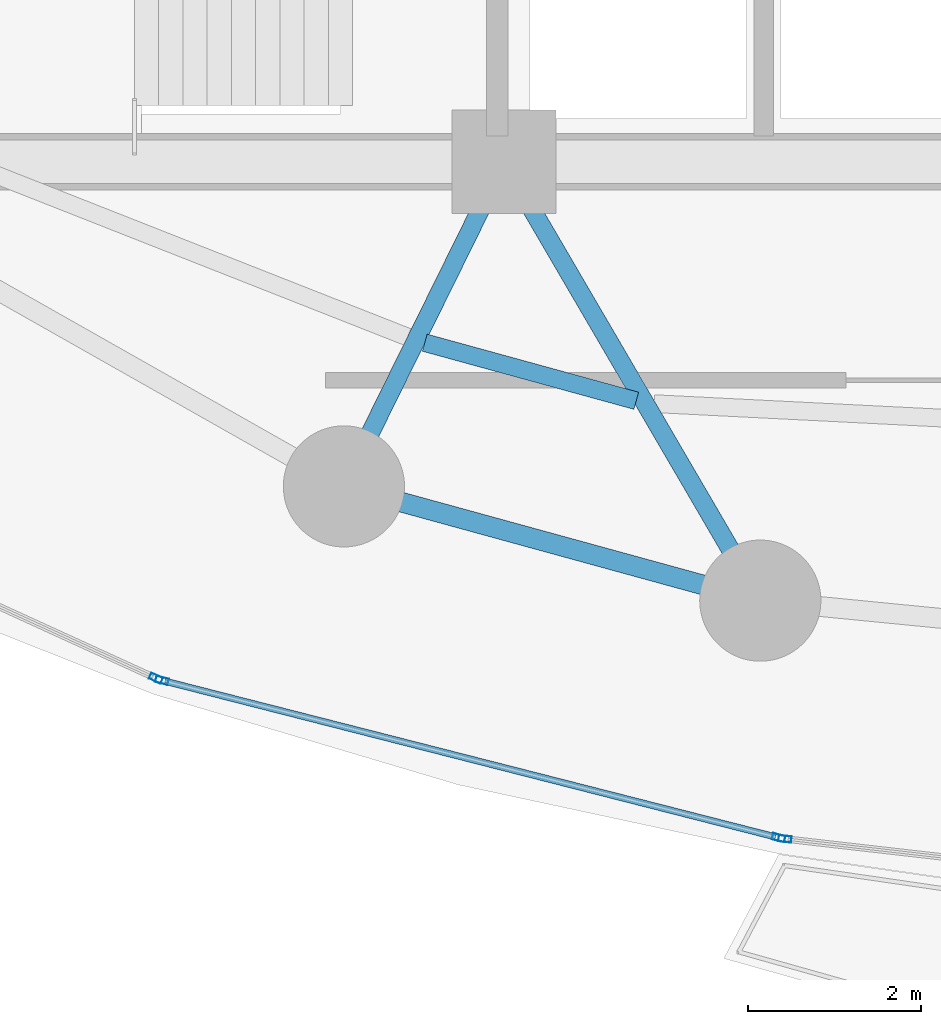
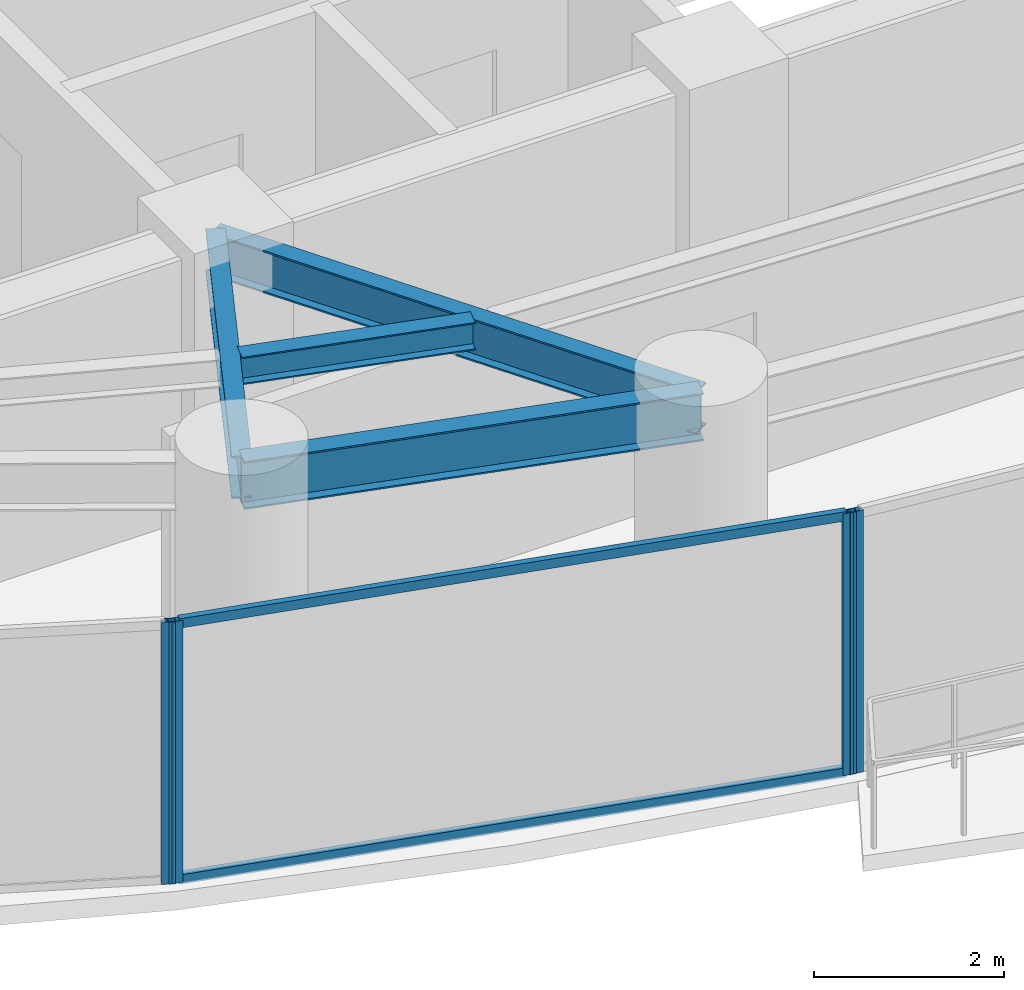
# One storey, part 5 of 31: 6 members, 4 beams, 3 elements without a shape of their own.
"""IFC4 building model written with IfcOpenShell, lengths in metres."""

from ifc_helpers import new_model, si_unit, direction, frame, origin, origin_2d, place, context, subcontext, project, spatial, hollow_rectangle, i_section, extrude, material, layer, layer_set, material_profile, profile_set, type_object, element, aggregate, save


model = new_model("IFC4")

# Units and contexts
model_context = context("Model", 3, precision=1e-05, world=origin(), true_north=direction((0.0, 1.0)))
body_context = subcontext(model_context, "Body", "Model", "MODEL_VIEW")
ifc_project = project(units=[si_unit("LENGTHUNIT", "METRE"), si_unit("AREAUNIT", "SQUARE_METRE"), si_unit("VOLUMEUNIT", "CUBIC_METRE"), si_unit("PLANEANGLEUNIT", "RADIAN"), si_unit("MASSUNIT", "GRAM", prefix="KILO")], contexts=[model_context])

# Site, building, storey
site_placement = place(None, origin())
site = spatial("IfcSite", under=ifc_project, at=site_placement, CompositionType="ELEMENT")
building_placement = place(site_placement, origin())
building = spatial("IfcBuilding", under=site, at=building_placement, Name="Kazevale Care Tower and Concert Hall", CompositionType="ELEMENT")
storey_placement = place(building_placement, frame((0.0, 0.0, 56.39990234375)))
storey = spatial("IfcBuildingStorey", under=building, at=storey_placement, Name="L14", CompositionType="ELEMENT", Elevation=56.39990234375)

# Curtain wall, member
ifc_material_1 = material(Name="Aluminium 6063-T6 and Low-E Glass", Category="aluminium")
ifc_layer = layer(ifc_material_1, 0.179931640625)
ifc_layer_set = layer_set([ifc_layer], Name="Aluminium 6063-T6 and Low-E Glass")
curtain_wall_type = type_object("IfcCurtainWallType", Name="Sheltered Concave Balcony Curtain Wall CW-5", PredefinedType="NOTDEFINED", material=ifc_layer_set)
curtain_wall_1_placement = place(storey_placement, origin())
curtain_wall_1 = element("IfcCurtainWall", 1, at=curtain_wall_1_placement, inside=storey, type_object=curtain_wall_type, Name="cw:L14:f07", PredefinedType="NOTDEFINED")
ifc_material_2 = material(Name="Aluminium 6063-T6", Category="aluminium")
ifc_material_profile_1 = material_profile(ifc_material_2, hollow_rectangle(XDim=0.074951171875, YDim=0.14990234375, WallThickness=0.00390625, at=origin_2d()), Name="ALU75x150x4")
ifc_profile_set_1 = profile_set([ifc_material_profile_1], Name="Aluminium 6063-T6")
member_type_1 = type_object("IfcMemberType", Name="CW-5 Mullion ALU75x150x4", PredefinedType="MULLION", material=ifc_profile_set_1)
member_1_placement = place(storey_placement, frame((33.245361328125, 15.77783203125, 0.0), z_axis=(0.0, 0.0, 1.0), x_axis=(-0.113704773808, -0.993514581883, 0.0)))
member_1 = element("IfcMember", 2, at=member_1_placement, type_object=member_type_1, Name="CW-5 mullion 2", PredefinedType="MULLION", context=body_context, shape_type="SweptSolid", body=[
    extrude(hollow_rectangle(XDim=0.074951171875, YDim=0.14990234375, WallThickness=0.00390625, at=origin_2d()), origin(), (0.0, 0.0, 1.0), 3.360107421875),
])
aggregate(curtain_wall_1, [member_1])

# Curtain wall, members
curtain_wall_2_placement = place(storey_placement, origin())
curtain_wall_2 = element("IfcCurtainWall", 3, at=curtain_wall_2_placement, inside=storey, type_object=curtain_wall_type, Name="cw:L14:f08", PredefinedType="NOTDEFINED")
member_2_placement = place(storey_placement, frame((33.171630859375, 15.791259765625, 0.0), z_axis=(0.0, 0.0, 1.0), x_axis=(-0.247221864936, -0.968958899798, 0.0)))
member_2 = element("IfcMember", 4, at=member_2_placement, type_object=member_type_1, Name="CW-5 mullion 1", PredefinedType="MULLION", context=body_context, shape_type="SweptSolid", body=[
    extrude(hollow_rectangle(XDim=0.074951171875, YDim=0.14990234375, WallThickness=0.00390625, at=origin_2d()), origin(), (0.0, 0.0, 1.0), 3.360107421875),
])
member_3_placement = place(storey_placement, frame((26.04833984375, 17.608642578125, 0.0), z_axis=(0.0, 0.0, 1.0), x_axis=(-0.247221864936, -0.968958899798, 0.0)))
member_3 = element("IfcMember", 5, at=member_3_placement, type_object=member_type_1, Name="CW-5 mullion 2", PredefinedType="MULLION", context=body_context, shape_type="SweptSolid", body=[
    extrude(hollow_rectangle(XDim=0.074951171875, YDim=0.14990234375, WallThickness=0.00390625, at=origin_2d()), origin(), (0.0, 0.0, 1.0), 3.360107421875),
])

# Curtain wall, member
curtain_wall_3_placement = place(storey_placement, origin())
curtain_wall_3 = element("IfcCurtainWall", 6, at=curtain_wall_3_placement, inside=storey, type_object=curtain_wall_type, Name="cw:L14:f09", PredefinedType="NOTDEFINED")
member_4_placement = place(storey_placement, frame((25.977783203125, 17.633544921875, 0.0), z_axis=(0.0, 0.0, 1.0), x_axis=(-0.415659767773, -0.909520179795, 0.0)))
member_4 = element("IfcMember", 7, at=member_4_placement, type_object=member_type_1, Name="CW-5 mullion 1", PredefinedType="MULLION", context=body_context, shape_type="SweptSolid", body=[
    extrude(hollow_rectangle(XDim=0.074951171875, YDim=0.14990234375, WallThickness=0.00390625, at=origin_2d()), origin(), (0.0, 0.0, 1.0), 3.360107421875),
])
aggregate(curtain_wall_3, [member_4])

# Member
ifc_material_profile_2 = material_profile(ifc_material_2, hollow_rectangle(XDim=0.074951171875, YDim=0.1201171875, WallThickness=0.00390625, at=origin_2d()), Name="ALU75x120x4")
ifc_profile_set_2 = profile_set([ifc_material_profile_2], Name="Aluminium 6063-T6")
member_type_2 = type_object("IfcMemberType", Name="CW-5 Transom ALU75x120x4", PredefinedType="USERDEFINED", material=ifc_profile_set_2)
member_5_placement = place(storey_placement, frame((33.13525390625, 15.800537109375, 0.03759765625), z_axis=(-0.968960816419, 0.24721435283, 0.0), x_axis=(-0.24721435283, -0.968960816419, 0.0)))
member_5 = element("IfcMember", 8, at=member_5_placement, type_object=member_type_2, Name="CW-5 transom 1.1", ObjectType="TRANSOM", PredefinedType="USERDEFINED", context=body_context, shape_type="SweptSolid", body=[
    extrude(hollow_rectangle(XDim=0.074951171875, YDim=0.1201171875, WallThickness=0.00390625, at=origin_2d()), origin(), (0.0, 0.0, 1.0), 7.2763671875),
])

member_6_placement = place(storey_placement, frame((33.13525390625, 15.800537109375, 3.322509765625), z_axis=(-0.968960816419, 0.24721435283, 0.0), x_axis=(-0.24721435283, -0.968960816419, 0.0)))
member_6 = element("IfcMember", 9, at=member_6_placement, type_object=member_type_2, Name="CW-5 transom 1.2", ObjectType="TRANSOM", PredefinedType="USERDEFINED", context=body_context, shape_type="SweptSolid", body=[
    extrude(hollow_rectangle(XDim=0.074951171875, YDim=0.1201171875, WallThickness=0.00390625, at=origin_2d()), origin(), (0.0, 0.0, 1.0), 7.2763671875),
])

aggregate(curtain_wall_2, [member_2, member_3, member_5, member_6])

# Beams
ifc_material_3 = material(Name="Steel ASTM A572 Gr 50", Category="steel")
ifc_material_profile_3 = material_profile(ifc_material_3, i_section(OverallWidth=0.2119140625, OverallDepth=0.5439453125, WebThickness=0.01318359375, FlangeThickness=0.021240234375, at=origin_2d()), Name="W530x123")
ifc_profile_set_3 = profile_set([ifc_material_profile_3], Name="Steel ASTM A572 Gr 50")
beam_type_1 = type_object("IfcBeamType", Name="Radial Floor Girder W530x123", PredefinedType="BEAM", material=ifc_profile_set_3)
beam_1_placement = place(storey_placement, frame((30.0, 23.60009765625, 3.088134765625), z_axis=(-0.442443019162, -0.896796618412, 0.0), x_axis=(0.896796618412, -0.442443019162, 0.0)))
element("IfcBeam", 10, at=beam_1_placement, inside=storey, type_object=beam_type_1, Name="beam:L14:rad:11", PredefinedType="BEAM", context=body_context, shape_type="SweptSolid", body=[
    extrude(i_section(OverallWidth=0.2119140625, OverallDepth=0.5439453125, WebThickness=0.01318359375, FlangeThickness=0.021240234375, at=origin_2d()), origin(), (0.0, 0.0, 1.0), 4.181640625),
])
beam_2_placement = place(storey_placement, frame((30.0, 23.60009765625, 3.088134765625), z_axis=(0.50417868077, -0.86359936189, 0.0), x_axis=(0.86359936189, 0.50417868077, 0.0)))
element("IfcBeam", 11, at=beam_2_placement, inside=storey, type_object=beam_type_1, Name="beam:L14:rad:12", PredefinedType="BEAM", context=body_context, shape_type="SweptSolid", body=[
    extrude(i_section(OverallWidth=0.2119140625, OverallDepth=0.5439453125, WebThickness=0.01318359375, FlangeThickness=0.021240234375, at=origin_2d()), origin(), (0.0, 0.0, 1.0), 5.870849609375),
])
ifc_material_profile_4 = material_profile(ifc_material_3, i_section(OverallWidth=0.22900390625, OverallDepth=0.612060546875, WebThickness=0.011962890625, FlangeThickness=0.01953125, at=origin_2d()), Name="W610x125")
ifc_profile_set_4 = profile_set([ifc_material_profile_4], Name="Steel ASTM A572 Gr 50")
beam_type_2 = type_object("IfcBeamType", Name="Ring Spandrel Beam W610x125", PredefinedType="SPANDREL", material=ifc_profile_set_4)
beam_3_placement = place(storey_placement, frame((28.14990234375, 19.85009765625, 3.05419921875), z_axis=(0.964343540473, -0.264653615031, 0.0), x_axis=(0.264653615031, 0.964343540473, 0.0)))
element("IfcBeam", 12, at=beam_3_placement, inside=storey, type_object=beam_type_2, Name="beam:L14:ring:11", PredefinedType="SPANDREL", context=body_context, shape_type="SweptSolid", body=[
    extrude(i_section(OverallWidth=0.22900390625, OverallDepth=0.612060546875, WebThickness=0.011962890625, FlangeThickness=0.01953125, at=origin_2d()), origin(), (0.0, 0.0, 1.0), 4.98779296875),
])
ifc_material_profile_5 = material_profile(ifc_material_3, i_section(OverallWidth=0.205078125, OverallDepth=0.35400390625, WebThickness=0.009521484375, FlangeThickness=0.016845703125, at=origin_2d()), Name="W360x79")
ifc_profile_set_5 = profile_set([ifc_material_profile_5], Name="Steel ASTM A572 Gr 50")
beam_type_3 = type_object("IfcBeamType", Name="Secondary Floor Joist W360x79", PredefinedType="JOIST", material=ifc_profile_set_5)
beam_4_placement = place(storey_placement, frame((29.083984375, 21.510009765625, 3.18310546875), z_axis=(0.964302027389, -0.264804833743, 0.0), x_axis=(0.264804833743, 0.964302027389, 0.0)))
element("IfcBeam", 13, at=beam_4_placement, inside=storey, type_object=beam_type_3, Name="beam:L14:joist:11", PredefinedType="JOIST", context=body_context, shape_type="SweptSolid", body=[
    extrude(i_section(OverallWidth=0.205078125, OverallDepth=0.35400390625, WebThickness=0.009521484375, FlangeThickness=0.016845703125, at=origin_2d()), origin(), (0.0, 0.0, 1.0), 2.533447265625),
])

save(model, "model.ifc")
